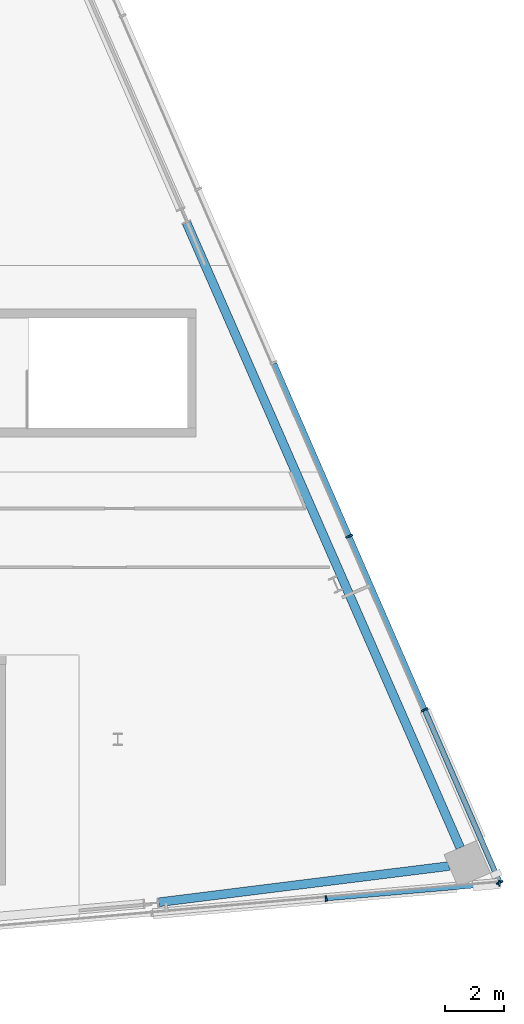
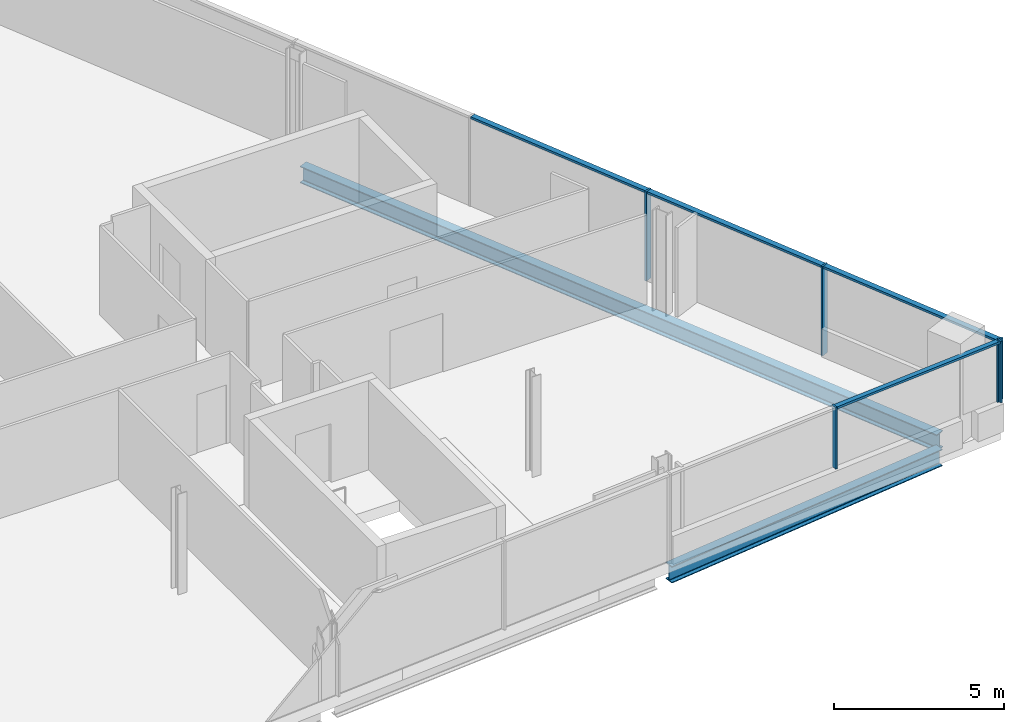
# One storey, part 11 of 19: 9 members, 2 beams, 2 elements without a shape of their own.
"""IFC4 building model written with IfcOpenShell, lengths in metres."""

from ifc_helpers import new_model, si_unit, direction, frame, origin, origin_2d, place, context, subcontext, project, spatial, rectangle, i_section, extrude, material, material_profile, profile_set, type_object, element, aggregate, save


model = new_model("IFC4")

# Units and contexts
model_context = context("Model", 3, precision=1e-05, world=origin(), true_north=direction((0.0, 1.0)))
body_context = subcontext(model_context, "Body", "Model", "MODEL_VIEW")
ifc_project = project(units=[si_unit("LENGTHUNIT", "METRE"), si_unit("AREAUNIT", "SQUARE_METRE"), si_unit("VOLUMEUNIT", "CUBIC_METRE"), si_unit("PLANEANGLEUNIT", "RADIAN"), si_unit("MASSUNIT", "GRAM", prefix="KILO")], contexts=[model_context])

# Site, building, storey
site_placement = place(None, origin())
site = spatial("IfcSite", under=ifc_project, at=site_placement, CompositionType="ELEMENT")
building_placement = place(site_placement, origin())
building = spatial("IfcBuilding", under=site, at=building_placement, Name="Wharfspan Tower", CompositionType="ELEMENT")
storey_placement = place(building_placement, frame((0.0, 0.0, 257.5)))
storey = spatial("IfcBuildingStorey", under=building, at=storey_placement, Name="L65", CompositionType="ELEMENT", Elevation=257.5)

# Beams
ifc_material_1 = material(Name="Steel S355J2", Category="steel")
ifc_material_profile_1 = material_profile(ifc_material_1, i_section(OverallWidth=0.300049, OverallDepth=0.600098, WebThickness=0.015381, FlangeThickness=0.030029, FilletRadius=0.0271, at=origin_2d()))
ifc_profile_set_1 = profile_set([ifc_material_profile_1], Name="Steel S355J2")
beam_type = type_object("IfcBeamType", Name="Edge beam HEB 600", PredefinedType="SPANDREL", material=ifc_profile_set_1)
beam_1_placement = place(storey_placement, frame((73.391602, 5.955322, -0.699951), z_axis=(0.992301, 0.123848, 0.0), x_axis=(-0.123848, 0.992301, 0.0)))
element("IfcBeam", 1, at=beam_1_placement, inside=storey, type_object=beam_type, Name="Edge beam S2 L65 PS2.2 to MC4", PredefinedType="SPANDREL", context=body_context, shape_type="SweptSolid", body=[
    extrude(i_section(OverallWidth=0.300049, OverallDepth=0.600098, WebThickness=0.015381, FlangeThickness=0.030029, FilletRadius=0.0271, at=origin_2d()), origin(), (0.0, 0.0, 1.0), 9.951172),
])
beam_2_placement = place(storey_placement, frame((83.643799, 7.810547, -0.699951), z_axis=(-0.401141, 0.916016, 0.0), x_axis=(-0.916016, -0.401141, 0.0)))
element("IfcBeam", 2, at=beam_2_placement, inside=storey, type_object=beam_type, Name="Edge beam E L65 MC4 to PE.2", PredefinedType="SPANDREL", context=body_context, shape_type="SweptSolid", body=[
    extrude(i_section(OverallWidth=0.300049, OverallDepth=0.600098, WebThickness=0.015381, FlangeThickness=0.030029, FilletRadius=0.0271, at=origin_2d()), origin(), (0.0, 0.0, 1.0), 23.196045),
])

# Curtain wall, members
ifc_material_2 = material(Name="Aluminium 6063-T6", Category="aluminium")
curtain_wall_type_1 = type_object("IfcCurtainWallType", Name="CURTAIN WALL FACETED FRONT", PredefinedType="NOTDEFINED", material=ifc_material_2)
curtain_wall_1_placement = place(storey_placement, origin())
curtain_wall_1 = element("IfcCurtainWall", 3, at=curtain_wall_1_placement, inside=storey, type_object=curtain_wall_type_1, Name="Curtain wall S2", PredefinedType="NOTDEFINED")
ifc_material_profile_2 = material_profile(ifc_material_2, rectangle(XDim=0.199951, YDim=0.060059, at=origin_2d()))
ifc_profile_set_2 = profile_set([ifc_material_profile_2], Name="Aluminium 6063-T6")
member_type_1 = type_object("IfcMemberType", Name="MULLION FACETED FRONT 60x200", PredefinedType="MULLION", material=ifc_profile_set_2)
member_1_placement = place(storey_placement, frame((79.083252, 6.082275, 1.0), z_axis=(0.0, 0.0, 1.0), x_axis=(-0.087156, 0.996197, 0.0)))
member_1 = element("IfcMember", 4, at=member_1_placement, type_object=member_type_1, Name="Curtain wall S2 mullion 6", PredefinedType="MULLION", context=body_context, shape_type="SweptSolid", body=[
    extrude(rectangle(XDim=0.199951, YDim=0.060059, at=origin_2d()), origin(), (0.0, 0.0, 1.0), 2.199951),
])
member_2_placement = place(storey_placement, frame((84.970215, 6.597412, 1.0), z_axis=(0.0, 0.0, 1.0), x_axis=(-0.087156, 0.996197, 0.0)))
member_2 = element("IfcMember", 5, at=member_2_placement, type_object=member_type_1, Name="Curtain wall S2 mullion 7", PredefinedType="MULLION", context=body_context, shape_type="SweptSolid", body=[
    extrude(rectangle(XDim=0.199951, YDim=0.060059, at=origin_2d()), origin(), (0.0, 0.0, 1.0), 2.199951),
])

curtain_wall_type_2 = type_object("IfcCurtainWallType", Name="CURTAIN WALL PROW AND END", PredefinedType="NOTDEFINED", material=ifc_material_2)
curtain_wall_2_placement = place(storey_placement, origin())
curtain_wall_2 = element("IfcCurtainWall", 6, at=curtain_wall_2_placement, inside=storey, type_object=curtain_wall_type_2, Name="Curtain wall E", PredefinedType="NOTDEFINED")
ifc_material_profile_3 = material_profile(ifc_material_2, rectangle(XDim=0.23999, YDim=0.060059, at=origin_2d()))
ifc_profile_set_3 = profile_set([ifc_material_profile_3], Name="Aluminium 6063-T6")
member_type_2 = type_object("IfcMemberType", Name="MULLION PROW AND END 60x240", PredefinedType="MULLION", material=ifc_profile_set_3)
member_3_placement = place(storey_placement, frame((84.988037, 6.627441, 1.0), z_axis=(0.0, 0.0, 1.0), x_axis=(-0.917072, -0.398727, 0.0)))
member_3 = element("IfcMember", 7, at=member_3_placement, type_object=member_type_2, Name="Curtain wall E mullion 1", PredefinedType="MULLION", context=body_context, shape_type="SweptSolid", body=[
    extrude(rectangle(XDim=0.23999, YDim=0.060059, at=origin_2d()), origin(), (0.0, 0.0, 1.0), 2.199951),
])
member_4_placement = place(storey_placement, frame((82.434814, 12.5, 0.0), z_axis=(0.0, 0.0, 1.0), x_axis=(-0.917072, -0.398727, 0.0)))
member_4 = element("IfcMember", 8, at=member_4_placement, type_object=member_type_2, Name="Curtain wall E mullion 2", PredefinedType="MULLION", context=body_context, shape_type="SweptSolid", body=[
    extrude(rectangle(XDim=0.23999, YDim=0.060059, at=origin_2d()), origin(), (0.0, 0.0, 1.0), 3.199951),
])
member_5_placement = place(storey_placement, frame((79.869629, 18.399902, 0.0), z_axis=(0.0, 0.0, 1.0), x_axis=(-0.917072, -0.398727, 0.0)))
member_5 = element("IfcMember", 9, at=member_5_placement, type_object=member_type_2, Name="Curtain wall E mullion 3", PredefinedType="MULLION", context=body_context, shape_type="SweptSolid", body=[
    extrude(rectangle(XDim=0.23999, YDim=0.060059, at=origin_2d()), origin(), (0.0, 0.0, 1.0), 3.199951),
])

# Member
ifc_material_profile_4 = material_profile(ifc_material_2, rectangle(XDim=0.159912, YDim=0.080078, at=origin_2d()))
ifc_profile_set_4 = profile_set([ifc_material_profile_4], Name="Aluminium 6063-T6")
member_type_3 = type_object("IfcMemberType", Name="TRANSOM FACETED FRONT 80x160", PredefinedType="USERDEFINED", material=ifc_profile_set_4)
member_6_placement = place(storey_placement, frame((79.113281, 6.084961, 3.159912), z_axis=(0.996195, 0.087152, 0.0), x_axis=(-0.087152, 0.996195, 0.0)))
member_6 = element("IfcMember", 10, at=member_6_placement, type_object=member_type_3, Name="Curtain wall S2 transom 6", ObjectType="TRANSOM", PredefinedType="USERDEFINED", context=body_context, shape_type="SweptSolid", body=[
    extrude(rectangle(XDim=0.159912, YDim=0.080078, at=origin_2d()), origin(), (0.0, 0.0, 1.0), 5.849121),
])

aggregate(curtain_wall_1, [member_1, member_2, member_6])

ifc_material_profile_5 = material_profile(ifc_material_2, rectangle(XDim=0.179932, YDim=0.080078, at=origin_2d()))
ifc_profile_set_5 = profile_set([ifc_material_profile_5], Name="Aluminium 6063-T6")
member_type_4 = type_object("IfcMemberType", Name="TRANSOM PROW AND END 80x180", PredefinedType="USERDEFINED", material=ifc_profile_set_5)
member_7_placement = place(storey_placement, frame((84.976074, 6.655029, 3.159912), z_axis=(-0.398726, 0.91707, 0.0), x_axis=(-0.91707, -0.398726, 0.0)))
member_7 = element("IfcMember", 11, at=member_7_placement, type_object=member_type_4, Name="Curtain wall E transom 1", ObjectType="TRANSOM", PredefinedType="USERDEFINED", context=body_context, shape_type="SweptSolid", body=[
    extrude(rectangle(XDim=0.179932, YDim=0.080078, at=origin_2d()), origin(), (0.0, 0.0, 1.0), 6.343506),
])

member_8_placement = place(storey_placement, frame((82.422852, 12.527588, 3.159912), z_axis=(-0.398722, 0.917072, 0.0), x_axis=(-0.917072, -0.398722, 0.0)))
member_8 = element("IfcMember", 12, at=member_8_placement, type_object=member_type_4, Name="Curtain wall E transom 2", ObjectType="TRANSOM", PredefinedType="USERDEFINED", context=body_context, shape_type="SweptSolid", body=[
    extrude(rectangle(XDim=0.179932, YDim=0.080078, at=origin_2d()), origin(), (0.0, 0.0, 1.0), 6.373535),
])

member_9_placement = place(storey_placement, frame((79.857666, 18.42749, 3.159912), z_axis=(-0.398722, 0.917072, 0.0), x_axis=(-0.917072, -0.398722, 0.0)))
member_9 = element("IfcMember", 13, at=member_9_placement, type_object=member_type_4, Name="Curtain wall E transom 3", ObjectType="TRANSOM", PredefinedType="USERDEFINED", context=body_context, shape_type="SweptSolid", body=[
    extrude(rectangle(XDim=0.179932, YDim=0.080078, at=origin_2d()), origin(), (0.0, 0.0, 1.0), 6.373535),
])

aggregate(curtain_wall_2, [member_3, member_4, member_5, member_7, member_8, member_9])

save(model, "model.ifc")
